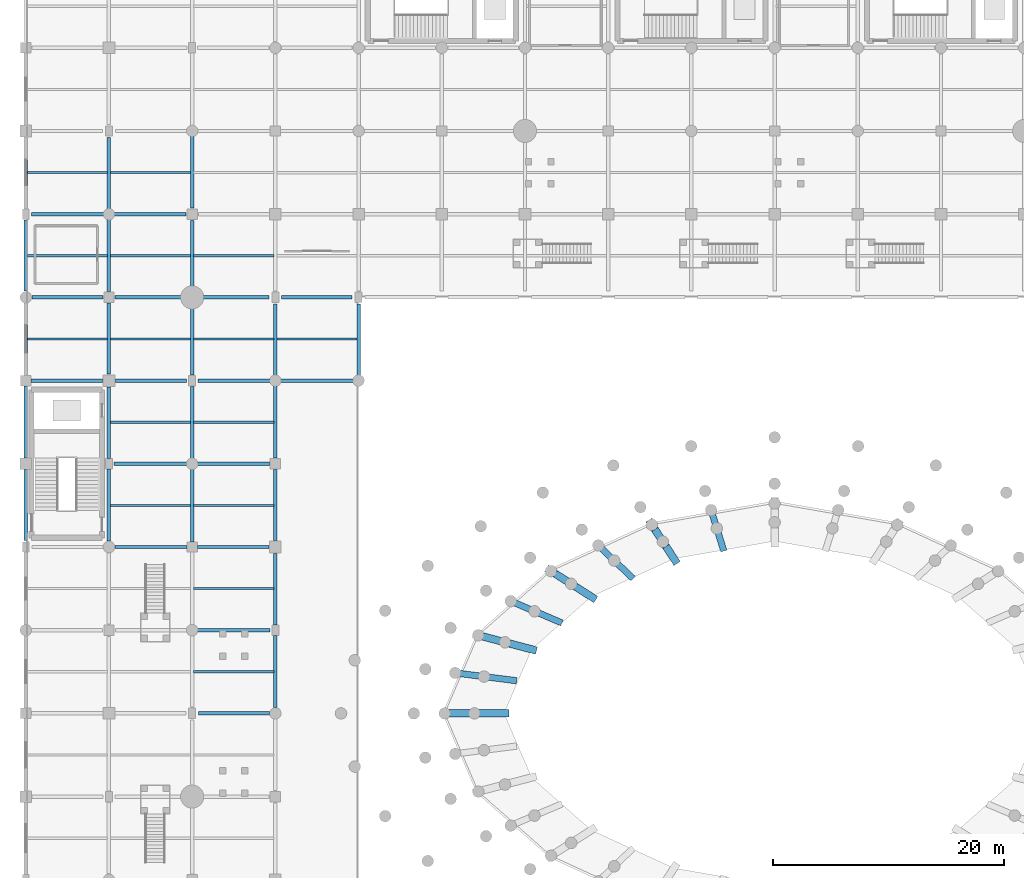
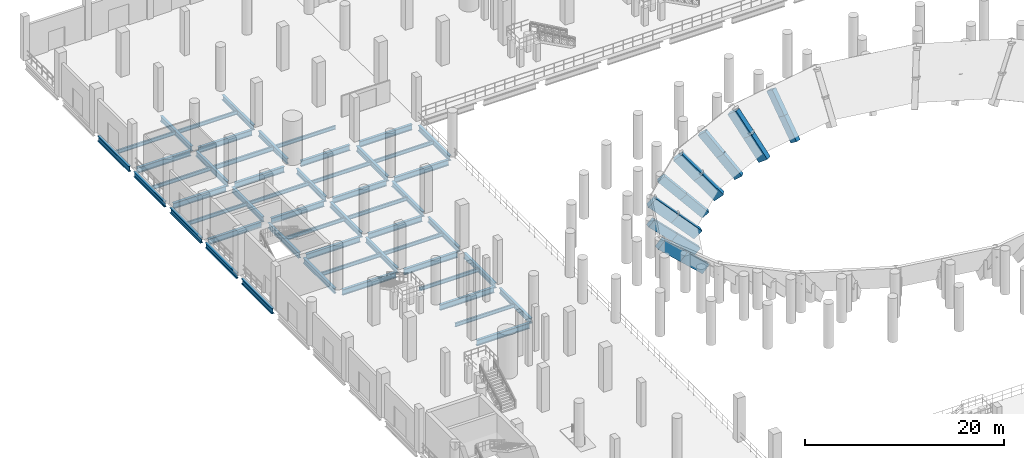
# One storey, part 10 of 58: 68 beams.
"""IFC4 building model written with IfcOpenShell, lengths in metres."""

from ifc_helpers import new_model, si_unit, direction, frame, origin, origin_2d, place, context, subcontext, project, spatial, rectangle, i_section, extrude, material, material_profile, profile_set, type_object, element, save


model = new_model("IFC4")

# Units and contexts
model_context = context("Model", 3, precision=1e-05, world=origin(), true_north=direction((0.0, 1.0)))
body_context = subcontext(model_context, "Body", "Model", "MODEL_VIEW")
ifc_project = project(units=[si_unit("LENGTHUNIT", "METRE"), si_unit("AREAUNIT", "SQUARE_METRE"), si_unit("VOLUMEUNIT", "CUBIC_METRE"), si_unit("PLANEANGLEUNIT", "RADIAN"), si_unit("MASSUNIT", "GRAM", prefix="KILO")], contexts=[model_context])

# Site, building, storey
site_placement = place(None, origin())
site = spatial("IfcSite", under=ifc_project, at=site_placement, CompositionType="ELEMENT")
building_placement = place(site_placement, origin())
building = spatial("IfcBuilding", under=site, at=building_placement, Name="Qandorah Velis Arena", CompositionType="ELEMENT")
storey_placement = place(building_placement, origin())
storey = spatial("IfcBuildingStorey", under=building, at=storey_placement, Name="L00", CompositionType="ELEMENT", Elevation=0.0)

# Beams
ifc_material_1 = material(Name="Steel S355", Category="steel")
ifc_material_profile_1 = material_profile(ifc_material_1, i_section(OverallWidth=0.300048828125, OverallDepth=0.64990234375, WebThickness=0.01611328125, FlangeThickness=0.031005859375, FilletRadius=0.027099609375, at=origin_2d()), Name="HEB 650")
ifc_profile_set_1 = profile_set([ifc_material_profile_1], Name="Steel S355")
beam_type_1 = type_object("IfcBeamType", Name="STR-BM-HEB650", PredefinedType="BEAM", material=ifc_profile_set_1)
beam_1_placement = place(storey_placement, frame((0.0, 79.75, -0.7451171875), z_axis=(0.0, 1.0, 0.0), x_axis=(-1.0, 0.0, 0.0)))
element("IfcBeam", 1, at=beam_1_placement, inside=storey, type_object=beam_type_1, Name="Primary floor girder L00 Y-279", PredefinedType="BEAM", context=body_context, shape_type="SweptSolid", body=[
    extrude(i_section(OverallWidth=0.300048828125, OverallDepth=0.64990234375, WebThickness=0.01611328125, FlangeThickness=0.031005859375, FilletRadius=0.027099609375, at=origin_2d()), origin(), (0.0, 0.0, 1.0), 6.14990234375),
])
beam_2_placement = place(storey_placement, frame((0.0, 86.89990234375, -0.7451171875), z_axis=(0.0, 1.0, 0.0), x_axis=(-1.0, 0.0, 0.0)))
element("IfcBeam", 2, at=beam_2_placement, inside=storey, type_object=beam_type_1, Name="Primary floor girder L00 Y-280", PredefinedType="BEAM", context=body_context, shape_type="SweptSolid", body=[
    extrude(i_section(OverallWidth=0.300048828125, OverallDepth=0.64990234375, WebThickness=0.01611328125, FlangeThickness=0.031005859375, FilletRadius=0.027099609375, at=origin_2d()), origin(), (0.0, 0.0, 1.0), 6.25),
])
beam_3_placement = place(storey_placement, frame((0.0, 94.050048828125, -0.7451171875), z_axis=(0.0, 1.0, 0.0), x_axis=(-1.0, 0.0, 0.0)))
element("IfcBeam", 3, at=beam_3_placement, inside=storey, type_object=beam_type_1, Name="Primary floor girder L00 Y-281", PredefinedType="BEAM", context=body_context, shape_type="SweptSolid", body=[
    extrude(i_section(OverallWidth=0.300048828125, OverallDepth=0.64990234375, WebThickness=0.01611328125, FlangeThickness=0.031005859375, FilletRadius=0.027099609375, at=origin_2d()), origin(), (0.0, 0.0, 1.0), 6.199951171875),
])
beam_4_placement = place(storey_placement, frame((0.0, 101.35009765625, -0.7451171875), z_axis=(0.0, 1.0, 0.0), x_axis=(-1.0, 0.0, 0.0)))
element("IfcBeam", 4, at=beam_4_placement, inside=storey, type_object=beam_type_1, Name="Primary floor girder L00 Y-282", PredefinedType="BEAM", context=body_context, shape_type="SweptSolid", body=[
    extrude(i_section(OverallWidth=0.300048828125, OverallDepth=0.64990234375, WebThickness=0.01611328125, FlangeThickness=0.031005859375, FilletRadius=0.027099609375, at=origin_2d()), origin(), (0.0, 0.0, 1.0), 6.14990234375),
])
for number, where, z_axis, x_axis, name in (
    (5, (0.0, 108.5, -0.7451171875), (0.0, 1.0, 0.0), (-1.0, 0.0, 0.0), "Primary floor girder L00 Y-283"),
    (6, (7.199951171875, 79.699951171875, -0.7451171875), (0.0, 1.0, 0.0), (-1.0, 0.0, 0.0), "Primary floor girder L00 Y-297"),
):
    element("IfcBeam", number, at=place(storey_placement, frame(where, z_axis=z_axis, x_axis=x_axis)), inside=storey, type_object=beam_type_1, Name=name, PredefinedType="BEAM", context=body_context, shape_type="SweptSolid", body=[
        extrude(i_section(OverallWidth=0.300048828125, OverallDepth=0.64990234375, WebThickness=0.01611328125, FlangeThickness=0.031005859375, FilletRadius=0.027099609375, at=origin_2d()), origin(), (0.0, 0.0, 1.0), 6.25),
    ])
beam_5_placement = place(storey_placement, frame((7.199951171875, 86.85009765625, -0.7451171875), z_axis=(0.0, 1.0, 0.0), x_axis=(-1.0, 0.0, 0.0)))
element("IfcBeam", 7, at=beam_5_placement, inside=storey, type_object=beam_type_1, Name="Primary floor girder L00 Y-298", PredefinedType="BEAM", context=body_context, shape_type="SweptSolid", body=[
    extrude(i_section(OverallWidth=0.300048828125, OverallDepth=0.64990234375, WebThickness=0.01611328125, FlangeThickness=0.031005859375, FilletRadius=0.027099609375, at=origin_2d()), origin(), (0.0, 0.0, 1.0), 6.199951171875),
])
beam_6_placement = place(storey_placement, frame((7.199951171875, 94.14990234375, -0.7451171875), z_axis=(0.0, 1.0, 0.0), x_axis=(-1.0, 0.0, 0.0)))
element("IfcBeam", 8, at=beam_6_placement, inside=storey, type_object=beam_type_1, Name="Primary floor girder L00 Y-299", PredefinedType="BEAM", context=body_context, shape_type="SweptSolid", body=[
    extrude(i_section(OverallWidth=0.300048828125, OverallDepth=0.64990234375, WebThickness=0.01611328125, FlangeThickness=0.031005859375, FilletRadius=0.027099609375, at=origin_2d()), origin(), (0.0, 0.0, 1.0), 6.150146484375),
])
beam_7_placement = place(storey_placement, frame((7.199951171875, 101.300048828125, -0.7451171875), z_axis=(0.0, 1.0, 0.0), x_axis=(-1.0, 0.0, 0.0)))
element("IfcBeam", 9, at=beam_7_placement, inside=storey, type_object=beam_type_1, Name="Primary floor girder L00 Y-300", PredefinedType="BEAM", context=body_context, shape_type="SweptSolid", body=[
    extrude(i_section(OverallWidth=0.300048828125, OverallDepth=0.64990234375, WebThickness=0.01611328125, FlangeThickness=0.031005859375, FilletRadius=0.027099609375, at=origin_2d()), origin(), (0.0, 0.0, 1.0), 6.25),
])
beam_8_placement = place(storey_placement, frame((7.199951171875, 108.449951171875, -0.7451171875), z_axis=(0.0, 1.0, 0.0), x_axis=(-1.0, 0.0, 0.0)))
element("IfcBeam", 10, at=beam_8_placement, inside=storey, type_object=beam_type_1, Name="Primary floor girder L00 Y-301", PredefinedType="BEAM", context=body_context, shape_type="SweptSolid", body=[
    extrude(i_section(OverallWidth=0.300048828125, OverallDepth=0.64990234375, WebThickness=0.01611328125, FlangeThickness=0.031005859375, FilletRadius=0.027099609375, at=origin_2d()), origin(), (0.0, 0.0, 1.0), 6.199951171875),
])
beam_9_placement = place(storey_placement, frame((14.39990234375, 79.64990234375, -0.7451171875), z_axis=(0.0, 1.0, 0.0), x_axis=(-1.0, 0.0, 0.0)))
element("IfcBeam", 11, at=beam_9_placement, inside=storey, type_object=beam_type_1, Name="Primary floor girder L00 Y-315", PredefinedType="BEAM", context=body_context, shape_type="SweptSolid", body=[
    extrude(i_section(OverallWidth=0.300048828125, OverallDepth=0.64990234375, WebThickness=0.01611328125, FlangeThickness=0.031005859375, FilletRadius=0.027099609375, at=origin_2d()), origin(), (0.0, 0.0, 1.0), 6.300048828125),
])
beam_10_placement = place(storey_placement, frame((14.39990234375, 86.85009765625, -0.7451171875), z_axis=(0.0, 1.0, 0.0), x_axis=(-1.0, 0.0, 0.0)))
element("IfcBeam", 12, at=beam_10_placement, inside=storey, type_object=beam_type_1, Name="Primary floor girder L00 Y-316", PredefinedType="BEAM", context=body_context, shape_type="SweptSolid", body=[
    extrude(i_section(OverallWidth=0.300048828125, OverallDepth=0.64990234375, WebThickness=0.01611328125, FlangeThickness=0.031005859375, FilletRadius=0.027099609375, at=origin_2d()), origin(), (0.0, 0.0, 1.0), 6.25),
])
beam_11_placement = place(storey_placement, frame((14.39990234375, 94.10009765625, -0.7451171875), z_axis=(0.0, 1.0, 0.0), x_axis=(-1.0, 0.0, 0.0)))
element("IfcBeam", 13, at=beam_11_placement, inside=storey, type_object=beam_type_1, Name="Primary floor girder L00 Y-317", PredefinedType="BEAM", context=body_context, shape_type="SweptSolid", body=[
    extrude(i_section(OverallWidth=0.300048828125, OverallDepth=0.64990234375, WebThickness=0.01611328125, FlangeThickness=0.031005859375, FilletRadius=0.027099609375, at=origin_2d()), origin(), (0.0, 0.0, 1.0), 5.75),
])
beam_12_placement = place(storey_placement, frame((14.39990234375, 101.75, -0.7451171875), z_axis=(0.0, 1.0, 0.0), x_axis=(-1.0, 0.0, 0.0)))
element("IfcBeam", 14, at=beam_12_placement, inside=storey, type_object=beam_type_1, Name="Primary floor girder L00 Y-318", PredefinedType="BEAM", context=body_context, shape_type="SweptSolid", body=[
    extrude(i_section(OverallWidth=0.300048828125, OverallDepth=0.64990234375, WebThickness=0.01611328125, FlangeThickness=0.031005859375, FilletRadius=0.027099609375, at=origin_2d()), origin(), (0.0, 0.0, 1.0), 5.699951171875),
])
beam_13_placement = place(storey_placement, frame((14.39990234375, 108.550048828125, -0.7451171875), z_axis=(0.0, 1.0, 0.0), x_axis=(-1.0, 0.0, 0.0)))
element("IfcBeam", 15, at=beam_13_placement, inside=storey, type_object=beam_type_1, Name="Primary floor girder L00 Y-319", PredefinedType="BEAM", context=body_context, shape_type="SweptSolid", body=[
    extrude(i_section(OverallWidth=0.300048828125, OverallDepth=0.64990234375, WebThickness=0.01611328125, FlangeThickness=0.031005859375, FilletRadius=0.027099609375, at=origin_2d()), origin(), (0.0, 0.0, 1.0), 6.199951171875),
])
beam_14_placement = place(storey_placement, frame((21.60009765625, 65.300048828125, -0.7451171875), z_axis=(0.0, 1.0, 0.0), x_axis=(-1.0, 0.0, 0.0)))
element("IfcBeam", 16, at=beam_14_placement, inside=storey, type_object=beam_type_1, Name="Primary floor girder L00 Y-331", PredefinedType="BEAM", context=body_context, shape_type="SweptSolid", body=[
    extrude(i_section(OverallWidth=0.300048828125, OverallDepth=0.64990234375, WebThickness=0.01611328125, FlangeThickness=0.031005859375, FilletRadius=0.027099609375, at=origin_2d()), origin(), (0.0, 0.0, 1.0), 6.25),
])
beam_15_placement = place(storey_placement, frame((21.60009765625, 72.449951171875, -0.7451171875), z_axis=(0.0, 1.0, 0.0), x_axis=(-1.0, 0.0, 0.0)))
element("IfcBeam", 17, at=beam_15_placement, inside=storey, type_object=beam_type_1, Name="Primary floor girder L00 Y-332", PredefinedType="BEAM", context=body_context, shape_type="SweptSolid", body=[
    extrude(i_section(OverallWidth=0.300048828125, OverallDepth=0.64990234375, WebThickness=0.01611328125, FlangeThickness=0.031005859375, FilletRadius=0.027099609375, at=origin_2d()), origin(), (0.0, 0.0, 1.0), 6.199951171875),
])
beam_16_placement = place(storey_placement, frame((21.60009765625, 79.75, -0.7451171875), z_axis=(0.0, 1.0, 0.0), x_axis=(-1.0, 0.0, 0.0)))
element("IfcBeam", 18, at=beam_16_placement, inside=storey, type_object=beam_type_1, Name="Primary floor girder L00 Y-333", PredefinedType="BEAM", context=body_context, shape_type="SweptSolid", body=[
    extrude(i_section(OverallWidth=0.300048828125, OverallDepth=0.64990234375, WebThickness=0.01611328125, FlangeThickness=0.031005859375, FilletRadius=0.027099609375, at=origin_2d()), origin(), (0.0, 0.0, 1.0), 6.14990234375),
])
beam_17_placement = place(storey_placement, frame((21.60009765625, 86.89990234375, -0.7451171875), z_axis=(0.0, 1.0, 0.0), x_axis=(-1.0, 0.0, 0.0)))
element("IfcBeam", 19, at=beam_17_placement, inside=storey, type_object=beam_type_1, Name="Primary floor girder L00 Y-334", PredefinedType="BEAM", context=body_context, shape_type="SweptSolid", body=[
    extrude(i_section(OverallWidth=0.300048828125, OverallDepth=0.64990234375, WebThickness=0.01611328125, FlangeThickness=0.031005859375, FilletRadius=0.027099609375, at=origin_2d()), origin(), (0.0, 0.0, 1.0), 6.25),
])
for number, where, z_axis, x_axis, name in (
    (20, (21.60009765625, 94.050048828125, -0.7451171875), (0.0, 1.0, 0.0), (-1.0, 0.0, 0.0), "Primary floor girder L00 Y-335"),
    (21, (28.800048828125, 94.050048828125, -0.7451171875), (0.0, 1.0, 0.0), (-1.0, 0.0, 0.0), "Primary floor girder L00 Y-345"),
):
    element("IfcBeam", number, at=place(storey_placement, frame(where, z_axis=z_axis, x_axis=x_axis)), inside=storey, type_object=beam_type_1, Name=name, PredefinedType="BEAM", context=body_context, shape_type="SweptSolid", body=[
        extrude(i_section(OverallWidth=0.300048828125, OverallDepth=0.64990234375, WebThickness=0.01611328125, FlangeThickness=0.031005859375, FilletRadius=0.027099609375, at=origin_2d()), origin(), (0.0, 0.0, 1.0), 6.199951171875),
    ])
ifc_material_profile_2 = material_profile(ifc_material_1, i_section(OverallWidth=0.300048828125, OverallDepth=0.699951171875, WebThickness=0.01708984375, FlangeThickness=0.031982421875, FilletRadius=0.027099609375, at=origin_2d()), Name="HEB 700")
ifc_profile_set_2 = profile_set([ifc_material_profile_2], Name="Steel S355")
beam_type_2 = type_object("IfcBeamType", Name="STR-BM-HEB700", PredefinedType="BEAM", material=ifc_profile_set_2)
beam_18_placement = place(storey_placement, frame((14.949951171875, 64.800048828125, -0.77001953125), z_axis=(1.0, 0.0, 0.0), x_axis=(0.0, 1.0, 0.0)))
element("IfcBeam", 22, at=beam_18_placement, inside=storey, type_object=beam_type_2, Name="Primary floor girder L00 X-133", PredefinedType="BEAM", context=body_context, shape_type="SweptSolid", body=[
    extrude(i_section(OverallWidth=0.300048828125, OverallDepth=0.699951171875, WebThickness=0.01708984375, FlangeThickness=0.031982421875, FilletRadius=0.027099609375, at=origin_2d()), origin(), (0.0, 0.0, 1.0), 6.150146484375),
])
beam_19_placement = place(storey_placement, frame((14.85009765625, 72.0, -0.77001953125), z_axis=(1.0, 0.0, 0.0), x_axis=(0.0, 1.0, 0.0)))
element("IfcBeam", 23, at=beam_19_placement, inside=storey, type_object=beam_type_2, Name="Primary floor girder L00 X-140", PredefinedType="BEAM", context=body_context, shape_type="SweptSolid", body=[
    extrude(i_section(OverallWidth=0.300048828125, OverallDepth=0.699951171875, WebThickness=0.01708984375, FlangeThickness=0.031982421875, FilletRadius=0.027099609375, at=origin_2d()), origin(), (0.0, 0.0, 1.0), 6.2998046875),
])
beam_20_placement = place(storey_placement, frame((7.699951171875, 79.199951171875, -0.77001953125), z_axis=(1.0, 0.0, 0.0), x_axis=(0.0, 1.0, 0.0)))
element("IfcBeam", 24, at=beam_20_placement, inside=storey, type_object=beam_type_2, Name="Primary floor girder L00 X-146", PredefinedType="BEAM", context=body_context, shape_type="SweptSolid", body=[
    extrude(i_section(OverallWidth=0.300048828125, OverallDepth=0.699951171875, WebThickness=0.01708984375, FlangeThickness=0.031982421875, FilletRadius=0.027099609375, at=origin_2d()), origin(), (0.0, 0.0, 1.0), 6.25),
])
beam_21_placement = place(storey_placement, frame((14.85009765625, 79.199951171875, -0.77001953125), z_axis=(1.0, 0.0, 0.0), x_axis=(0.0, 1.0, 0.0)))
element("IfcBeam", 25, at=beam_21_placement, inside=storey, type_object=beam_type_2, Name="Primary floor girder L00 X-147", PredefinedType="BEAM", context=body_context, shape_type="SweptSolid", body=[
    extrude(i_section(OverallWidth=0.300048828125, OverallDepth=0.699951171875, WebThickness=0.01708984375, FlangeThickness=0.031982421875, FilletRadius=0.027099609375, at=origin_2d()), origin(), (0.0, 0.0, 1.0), 6.199951171875),
])
beam_22_placement = place(storey_placement, frame((7.64990234375, 86.39990234375, -0.77001953125), z_axis=(1.0, 0.0, 0.0), x_axis=(0.0, 1.0, 0.0)))
element("IfcBeam", 26, at=beam_22_placement, inside=storey, type_object=beam_type_2, Name="Primary floor girder L00 X-152", PredefinedType="BEAM", context=body_context, shape_type="SweptSolid", body=[
    extrude(i_section(OverallWidth=0.300048828125, OverallDepth=0.699951171875, WebThickness=0.01708984375, FlangeThickness=0.031982421875, FilletRadius=0.027099609375, at=origin_2d()), origin(), (0.0, 0.0, 1.0), 6.300048828125),
])
beam_23_placement = place(storey_placement, frame((14.85009765625, 86.39990234375, -0.77001953125), z_axis=(1.0, 0.0, 0.0), x_axis=(0.0, 1.0, 0.0)))
element("IfcBeam", 27, at=beam_23_placement, inside=storey, type_object=beam_type_2, Name="Primary floor girder L00 X-153", PredefinedType="BEAM", context=body_context, shape_type="SweptSolid", body=[
    extrude(i_section(OverallWidth=0.300048828125, OverallDepth=0.699951171875, WebThickness=0.01708984375, FlangeThickness=0.031982421875, FilletRadius=0.027099609375, at=origin_2d()), origin(), (0.0, 0.0, 1.0), 6.25),
])
beam_24_placement = place(storey_placement, frame((0.449951171875, 93.60009765625, -0.77001953125), z_axis=(1.0, 0.0, 0.0), x_axis=(0.0, 1.0, 0.0)))
element("IfcBeam", 28, at=beam_24_placement, inside=storey, type_object=beam_type_2, Name="Primary floor girder L00 X-163", PredefinedType="BEAM", context=body_context, shape_type="SweptSolid", body=[
    extrude(i_section(OverallWidth=0.300048828125, OverallDepth=0.699951171875, WebThickness=0.01708984375, FlangeThickness=0.031982421875, FilletRadius=0.027099609375, at=origin_2d()), origin(), (0.0, 0.0, 1.0), 6.199951171875),
])
beam_25_placement = place(storey_placement, frame((7.75, 93.60009765625, -0.77001953125), z_axis=(1.0, 0.0, 0.0), x_axis=(0.0, 1.0, 0.0)))
element("IfcBeam", 29, at=beam_25_placement, inside=storey, type_object=beam_type_2, Name="Primary floor girder L00 X-164", PredefinedType="BEAM", context=body_context, shape_type="SweptSolid", body=[
    extrude(i_section(OverallWidth=0.300048828125, OverallDepth=0.699951171875, WebThickness=0.01708984375, FlangeThickness=0.031982421875, FilletRadius=0.027099609375, at=origin_2d()), origin(), (0.0, 0.0, 1.0), 6.14990234375),
])
beam_26_placement = place(storey_placement, frame((14.89990234375, 93.60009765625, -0.77001953125), z_axis=(1.0, 0.0, 0.0), x_axis=(0.0, 1.0, 0.0)))
element("IfcBeam", 30, at=beam_26_placement, inside=storey, type_object=beam_type_2, Name="Primary floor girder L00 X-165", PredefinedType="BEAM", context=body_context, shape_type="SweptSolid", body=[
    extrude(i_section(OverallWidth=0.300048828125, OverallDepth=0.699951171875, WebThickness=0.01708984375, FlangeThickness=0.031982421875, FilletRadius=0.027099609375, at=origin_2d()), origin(), (0.0, 0.0, 1.0), 6.25),
])
beam_27_placement = place(storey_placement, frame((22.050048828125, 93.60009765625, -0.77001953125), z_axis=(1.0, 0.0, 0.0), x_axis=(0.0, 1.0, 0.0)))
element("IfcBeam", 31, at=beam_27_placement, inside=storey, type_object=beam_type_2, Name="Primary floor girder L00 X-166", PredefinedType="BEAM", context=body_context, shape_type="SweptSolid", body=[
    extrude(i_section(OverallWidth=0.300048828125, OverallDepth=0.699951171875, WebThickness=0.01708984375, FlangeThickness=0.031982421875, FilletRadius=0.027099609375, at=origin_2d()), origin(), (0.0, 0.0, 1.0), 6.300048828125),
])
beam_28_placement = place(storey_placement, frame((0.550048828125, 100.800048828125, -0.77001953125), z_axis=(1.0, 0.0, 0.0), x_axis=(0.0, 1.0, 0.0)))
element("IfcBeam", 32, at=beam_28_placement, inside=storey, type_object=beam_type_2, Name="Primary floor girder L00 X-173", PredefinedType="BEAM", context=body_context, shape_type="SweptSolid", body=[
    extrude(i_section(OverallWidth=0.300048828125, OverallDepth=0.699951171875, WebThickness=0.01708984375, FlangeThickness=0.031982421875, FilletRadius=0.027099609375, at=origin_2d()), origin(), (0.0, 0.0, 1.0), 6.14990234375),
])
beam_29_placement = place(storey_placement, frame((7.699951171875, 100.800048828125, -0.77001953125), z_axis=(1.0, 0.0, 0.0), x_axis=(0.0, 1.0, 0.0)))
element("IfcBeam", 33, at=beam_29_placement, inside=storey, type_object=beam_type_2, Name="Primary floor girder L00 X-174", PredefinedType="BEAM", context=body_context, shape_type="SweptSolid", body=[
    extrude(i_section(OverallWidth=0.300048828125, OverallDepth=0.699951171875, WebThickness=0.01708984375, FlangeThickness=0.031982421875, FilletRadius=0.027099609375, at=origin_2d()), origin(), (0.0, 0.0, 1.0), 5.75),
])
beam_30_placement = place(storey_placement, frame((15.35009765625, 100.800048828125, -0.77001953125), z_axis=(1.0, 0.0, 0.0), x_axis=(0.0, 1.0, 0.0)))
element("IfcBeam", 34, at=beam_30_placement, inside=storey, type_object=beam_type_2, Name="Primary floor girder L00 X-175", PredefinedType="BEAM", context=body_context, shape_type="SweptSolid", body=[
    extrude(i_section(OverallWidth=0.300048828125, OverallDepth=0.699951171875, WebThickness=0.01708984375, FlangeThickness=0.031982421875, FilletRadius=0.027099609375, at=origin_2d()), origin(), (0.0, 0.0, 1.0), 5.699951171875),
])
beam_31_placement = place(storey_placement, frame((22.14990234375, 100.800048828125, -0.77001953125), z_axis=(1.0, 0.0, 0.0), x_axis=(0.0, 1.0, 0.0)))
element("IfcBeam", 35, at=beam_31_placement, inside=storey, type_object=beam_type_2, Name="Primary floor girder L00 X-176", PredefinedType="BEAM", context=body_context, shape_type="SweptSolid", body=[
    extrude(i_section(OverallWidth=0.300048828125, OverallDepth=0.699951171875, WebThickness=0.01708984375, FlangeThickness=0.031982421875, FilletRadius=0.027099609375, at=origin_2d()), origin(), (0.0, 0.0, 1.0), 6.10009765625),
])
beam_32_placement = place(storey_placement, frame((0.5, 108.0, -0.77001953125), z_axis=(1.0, 0.0, 0.0), x_axis=(0.0, 1.0, 0.0)))
element("IfcBeam", 36, at=beam_32_placement, inside=storey, type_object=beam_type_2, Name="Primary floor girder L00 X-195", PredefinedType="BEAM", context=body_context, shape_type="SweptSolid", body=[
    extrude(i_section(OverallWidth=0.300048828125, OverallDepth=0.699951171875, WebThickness=0.01708984375, FlangeThickness=0.031982421875, FilletRadius=0.027099609375, at=origin_2d()), origin(), (0.0, 0.0, 1.0), 6.25),
])
beam_33_placement = place(storey_placement, frame((7.64990234375, 108.0, -0.77001953125), z_axis=(1.0, 0.0, 0.0), x_axis=(0.0, 1.0, 0.0)))
element("IfcBeam", 37, at=beam_33_placement, inside=storey, type_object=beam_type_2, Name="Primary floor girder L00 X-196", PredefinedType="BEAM", context=body_context, shape_type="SweptSolid", body=[
    extrude(i_section(OverallWidth=0.300048828125, OverallDepth=0.699951171875, WebThickness=0.01708984375, FlangeThickness=0.031982421875, FilletRadius=0.027099609375, at=origin_2d()), origin(), (0.0, 0.0, 1.0), 6.2001953125),
])
ifc_material_profile_3 = material_profile(ifc_material_1, i_section(OverallWidth=0.18994140625, OverallDepth=0.449951171875, WebThickness=0.009521484375, FlangeThickness=0.0146484375, FilletRadius=0.02099609375, at=origin_2d()), Name="IPE 450")
ifc_profile_set_3 = profile_set([ifc_material_profile_3], Name="Steel S355")
beam_type_3 = type_object("IfcBeamType", Name="STR-JST-IPE450", PredefinedType="JOIST", material=ifc_profile_set_3)
for number, where, z_axis, x_axis, name in (
    (38, (0.135009765625, 97.199951171875, -0.64501953125), (1.0, 0.0, 0.0), (0.0, 1.0, 0.0), "Secondary floor joist L00-010"),
    (39, (0.135009765625, 104.39990234375, -0.64501953125), (1.0, 0.0, 0.0), (0.0, 1.0, 0.0), "Secondary floor joist L00-011"),
    (40, (0.135009765625, 111.60009765625, -0.64501953125), (1.0, 0.0, 0.0), (0.0, 1.0, 0.0), "Secondary floor joist L00-012"),
    (41, (7.3349609375, 82.800048828125, -0.64501953125), (1.0, 0.0, 0.0), (0.0, 1.0, 0.0), "Secondary floor joist L00-026"),
    (42, (7.3349609375, 90.0, -0.64501953125), (1.0, 0.0, 0.0), (0.0, 1.0, 0.0), "Secondary floor joist L00-027"),
    (43, (7.3349609375, 97.199951171875, -0.64501953125), (1.0, 0.0, 0.0), (0.0, 1.0, 0.0), "Secondary floor joist L00-028"),
    (44, (7.3349609375, 111.60009765625, -0.64501953125), (1.0, 0.0, 0.0), (0.0, 1.0, 0.0), "Secondary floor joist L00-030"),
):
    element("IfcBeam", number, at=place(storey_placement, frame(where, z_axis=z_axis, x_axis=x_axis)), inside=storey, type_object=beam_type_3, Name=name, PredefinedType="JOIST", context=body_context, shape_type="SweptSolid", body=[
        extrude(i_section(OverallWidth=0.18994140625, OverallDepth=0.449951171875, WebThickness=0.009521484375, FlangeThickness=0.0146484375, FilletRadius=0.02099609375, at=origin_2d()), origin(), (0.0, 0.0, 1.0), 6.929931640625),
    ])
for number, where, z_axis, x_axis, name in (
    (45, (14.534912109375, 68.39990234375, -0.64501953125), (1.0, 0.0, 0.0), (0.0, 1.0, 0.0), "Secondary floor joist L00-042"),
    (46, (14.534912109375, 75.60009765625, -0.64501953125), (1.0, 0.0, 0.0), (0.0, 1.0, 0.0), "Secondary floor joist L00-043"),
    (47, (14.534912109375, 82.800048828125, -0.64501953125), (1.0, 0.0, 0.0), (0.0, 1.0, 0.0), "Secondary floor joist L00-044"),
    (48, (14.534912109375, 90.0, -0.64501953125), (1.0, 0.0, 0.0), (0.0, 1.0, 0.0), "Secondary floor joist L00-045"),
    (49, (14.534912109375, 97.199951171875, -0.64501953125), (1.0, 0.0, 0.0), (0.0, 1.0, 0.0), "Secondary floor joist L00-046"),
    (50, (14.534912109375, 104.39990234375, -0.64501953125), (1.0, 0.0, 0.0), (0.0, 1.0, 0.0), "Secondary floor joist L00-047"),
):
    element("IfcBeam", number, at=place(storey_placement, frame(where, z_axis=z_axis, x_axis=x_axis)), inside=storey, type_object=beam_type_3, Name=name, PredefinedType="JOIST", context=body_context, shape_type="SweptSolid", body=[
        extrude(i_section(OverallWidth=0.18994140625, OverallDepth=0.449951171875, WebThickness=0.009521484375, FlangeThickness=0.0146484375, FilletRadius=0.02099609375, at=origin_2d()), origin(), (0.0, 0.0, 1.0), 6.93017578125),
    ])
beam_34_placement = place(storey_placement, frame((21.735107421875, 97.199951171875, -0.64501953125), z_axis=(1.0, 0.0, 0.0), x_axis=(0.0, 1.0, 0.0)))
element("IfcBeam", 51, at=beam_34_placement, inside=storey, type_object=beam_type_3, Name="Secondary floor joist L00-056", PredefinedType="JOIST", context=body_context, shape_type="SweptSolid", body=[
    extrude(i_section(OverallWidth=0.18994140625, OverallDepth=0.449951171875, WebThickness=0.009521484375, FlangeThickness=0.0146484375, FilletRadius=0.02099609375, at=origin_2d()), origin(), (0.0, 0.0, 1.0), 6.929931640625),
])
ifc_material_profile_4 = material_profile(ifc_material_1, i_section(OverallWidth=0.2099609375, OverallDepth=0.550048828125, WebThickness=0.010986328125, FlangeThickness=0.01708984375, FilletRadius=0.02392578125, at=origin_2d()), Name="IPE 550")
ifc_profile_set_4 = profile_set([ifc_material_profile_4], Name="Steel S355")
beam_type_4 = type_object("IfcBeamType", Name="STR-JST-IPE550", PredefinedType="JOIST", material=ifc_profile_set_4)
beam_35_placement = place(storey_placement, frame((7.3349609375, 104.39990234375, -0.695068359375), z_axis=(1.0, 0.0, 0.0), x_axis=(0.0, 1.0, 0.0)))
element("IfcBeam", 52, at=beam_35_placement, inside=storey, type_object=beam_type_4, Name="Secondary floor joist L00-029", PredefinedType="JOIST", context=body_context, shape_type="SweptSolid", body=[
    extrude(i_section(OverallWidth=0.2099609375, OverallDepth=0.550048828125, WebThickness=0.010986328125, FlangeThickness=0.01708984375, FilletRadius=0.02392578125, at=origin_2d()), origin(), (0.0, 0.0, 1.0), 6.929931640625),
])
ifc_material_2 = material(Name="Concrete C40/50", Category="concrete")
ifc_material_profile_5 = material_profile(ifc_material_2, rectangle(XDim=0.550048828125, YDim=0.949951171875, at=origin_2d()), Name="RC RAKER 550x950")
ifc_profile_set_5 = profile_set([ifc_material_profile_5], Name="Concrete C40/50")
beam_type_5 = type_object("IfcBeamType", Name="STR-RAK-550X950", PredefinedType="USERDEFINED", material=ifc_profile_set_5)
beam_36_placement = place(storey_placement, frame((60.293701171875, 79.2255859375, -0.715087890625), z_axis=(-0.169826785444, 0.543512607281, 0.822041914182), x_axis=(-0.954490429028, -0.298241547901, 0.0)))
element("IfcBeam", 53, at=beam_36_placement, inside=storey, type_object=beam_type_5, Name="Lower bowl inner raker beam RB-LA05.2", ObjectType="RAKER BEAM", PredefinedType="USERDEFINED", context=body_context, shape_type="SweptSolid", body=[
    extrude(rectangle(XDim=0.550048828125, YDim=0.949951171875, at=origin_2d()), origin(), (0.0, 0.0, 1.0), 2.919677734375),
])
beam_37_placement = place(storey_placement, frame((59.7978515625, 80.8125, 1.68505859375), z_axis=(-0.169764962925, 0.54349876554, 0.822063835246), x_axis=(-0.954519170423, -0.29814954854, 0.0)))
element("IfcBeam", 54, at=beam_37_placement, inside=storey, type_object=beam_type_5, Name="Lower bowl outer raker beam RB-LB05.2", ObjectType="RAKER BEAM", PredefinedType="USERDEFINED", context=body_context, shape_type="SweptSolid", body=[
    extrude(rectangle(XDim=0.550048828125, YDim=0.949951171875, at=origin_2d()), origin(), (0.0, 0.0, 1.0), 2.91943359375),
])
for number, where, z_axis, x_axis, name in (
    (55, (52.29345703125, 76.71826171875, -0.715087890625), (-0.449380494122, 0.428247249944, 0.784003484953), (-0.689879693058, -0.723924035453, 0.0), "Lower bowl inner raker beam RB-LA06.2"),
    (56, (50.917724609375, 78.029296875, 1.68505859375), (-0.449408591846, 0.428274026302, 0.783972752058), (-0.689879693058, -0.723924035453, 0.0), "Lower bowl outer raker beam RB-LB06.2"),
):
    element("IfcBeam", number, at=place(storey_placement, frame(where, z_axis=z_axis, x_axis=x_axis)), inside=storey, type_object=beam_type_5, Name=name, ObjectType="RAKER BEAM", PredefinedType="USERDEFINED", context=body_context, shape_type="SweptSolid", body=[
        extrude(rectangle(XDim=0.550048828125, YDim=0.949951171875, at=origin_2d()), origin(), (0.0, 0.0, 1.0), 3.061279296875),
    ])
beam_38_placement = place(storey_placement, frame((46.082763671875, 72.763427734375, -0.715087890625), z_axis=(-0.627448073055, 0.266961186544, 0.731464722662), x_axis=(-0.391507987355, -0.92017470941, 0.0)))
element("IfcBeam", 57, at=beam_38_placement, inside=storey, type_object=beam_type_5, Name="Lower bowl inner raker beam RB-LA07.2", ObjectType="RAKER BEAM", PredefinedType="USERDEFINED", context=body_context, shape_type="SweptSolid", body=[
    extrude(rectangle(XDim=0.550048828125, YDim=0.949951171875, at=origin_2d()), origin(), (0.0, 0.0, 1.0), 3.28125),
])
beam_39_placement = place(storey_placement, frame((44.02392578125, 73.639404296875, 1.68505859375), z_axis=(-0.627482222231, 0.26697571604, 0.731430125049), x_axis=(-0.391507987355, -0.92017470941, 0.0)))
element("IfcBeam", 58, at=beam_39_placement, inside=storey, type_object=beam_type_5, Name="Lower bowl outer raker beam RB-LB07.2", ObjectType="RAKER BEAM", PredefinedType="USERDEFINED", context=body_context, shape_type="SweptSolid", body=[
    extrude(rectangle(XDim=0.550048828125, YDim=0.949951171875, at=origin_2d()), origin(), (0.0, 0.0, 1.0), 3.281005859375),
])
for number, where, z_axis, x_axis, name in (
    (59, (42.14501953125, 67.66943359375, -0.715087890625), (-0.717269074384, 0.090862046946, 0.69084670033), (-0.125673426448, -0.9920716657, 0.0), "Lower bowl inner raker beam RB-LA08.2"),
    (60, (39.653076171875, 67.985107421875, 1.68505859375), (-0.71733801119, 0.090861877789, 0.690775142045), (-0.125661309593, -0.992073200561, 0.0), "Lower bowl outer raker beam RB-LB08.2"),
):
    element("IfcBeam", number, at=place(storey_placement, frame(where, z_axis=z_axis, x_axis=x_axis)), inside=storey, type_object=beam_type_5, Name=name, ObjectType="RAKER BEAM", PredefinedType="USERDEFINED", context=body_context, shape_type="SweptSolid", body=[
        extrude(rectangle(XDim=0.550048828125, YDim=0.949951171875, at=origin_2d()), origin(), (0.0, 0.0, 1.0), 3.47412109375),
    ])
ifc_material_profile_6 = material_profile(ifc_material_2, rectangle(XDim=0.64990234375, YDim=1.199951171875, at=origin_2d()), Name="RC RAKER 650x1200")
ifc_profile_set_6 = profile_set([ifc_material_profile_6], Name="Concrete C40/50")
beam_type_6 = type_object("IfcBeamType", Name="STR-RAK-650X1200", PredefinedType="USERDEFINED", material=ifc_profile_set_6)
for number, where, z_axis, x_axis, name in (
    (61, (56.0947265625, 78.182373046875, -0.840087890625), (-0.321973892614, 0.494946608508, 0.807069183653), (-0.838243436999, -0.545296195042, 0.0), "Lower bowl inner raker beam RB-LA06.1"),
    (62, (55.13720703125, 79.654296875, 1.56005859375), (-0.322055723212, 0.495028297468, 0.806986428543), (-0.838221230668, -0.54533032967, 0.0), "Lower bowl outer raker beam RB-LB06.1"),
):
    element("IfcBeam", number, at=place(storey_placement, frame(where, z_axis=z_axis, x_axis=x_axis)), inside=storey, type_object=beam_type_6, Name=name, ObjectType="RAKER BEAM", PredefinedType="USERDEFINED", context=body_context, shape_type="SweptSolid", body=[
        extrude(rectangle(XDim=0.64990234375, YDim=1.199951171875, at=origin_2d()), origin(), (0.0, 0.0, 1.0), 2.973876953125),
    ])
for number, where, z_axis, x_axis, name in (
    (63, (48.940185546875, 74.898681640625, -0.840087890625), (-0.5505902287, 0.350620789445, 0.757572083744), (-0.537142821391, -0.843491309634, 0.0), "Lower bowl inner raker beam RB-LA07.1"),
    (64, (47.19580078125, 76.009521484375, 1.56005859375), (-0.550676068254, 0.350626379871, 0.757507102007), (-0.537089338572, -0.843525365589, 0.0), "Lower bowl outer raker beam RB-LB07.1"),
):
    element("IfcBeam", number, at=place(storey_placement, frame(where, z_axis=z_axis, x_axis=x_axis)), inside=storey, type_object=beam_type_6, Name=name, ObjectType="RAKER BEAM", PredefinedType="USERDEFINED", context=body_context, shape_type="SweptSolid", body=[
        extrude(rectangle(XDim=0.64990234375, YDim=1.199951171875, at=origin_2d()), origin(), (0.0, 0.0, 1.0), 3.168212890625),
    ])
beam_40_placement = place(storey_placement, frame((43.783447265625, 70.343017578125, -0.840087890625), z_axis=(-0.682388598419, 0.180019718962, 0.708476323905), x_axis=(-0.255081334927, -0.966919599849, 0.0)))
element("IfcBeam", 65, at=beam_40_placement, inside=storey, type_object=beam_type_6, Name="Lower bowl inner raker beam RB-LA08.1", ObjectType="RAKER BEAM", PredefinedType="USERDEFINED", context=body_context, shape_type="SweptSolid", body=[
    extrude(rectangle(XDim=0.64990234375, YDim=1.199951171875, at=origin_2d()), origin(), (0.0, 0.0, 1.0), 3.3876953125),
])
beam_41_placement = place(storey_placement, frame((41.4716796875, 70.952880859375, 1.56005859375), z_axis=(-0.682432292377, 0.179959175633, 0.708449618129), x_axis=(-0.254985861186, -0.966944781565, 0.0)))
element("IfcBeam", 66, at=beam_41_placement, inside=storey, type_object=beam_type_6, Name="Lower bowl outer raker beam RB-LB08.1", ObjectType="RAKER BEAM", PredefinedType="USERDEFINED", context=body_context, shape_type="SweptSolid", body=[
    extrude(rectangle(XDim=0.64990234375, YDim=1.199951171875, at=origin_2d()), origin(), (0.0, 0.0, 1.0), 3.387451171875),
])
for number, where, z_axis, x_axis, name in (
    (67, (41.39990234375, 64.800048828125, -0.840087890625), (-0.731371228454, 0.0, 0.681979564349), (0.0, -1.0, 0.0), "Lower bowl inner raker beam RB-LA09.1"),
    (68, (38.825927734375, 64.800048828125, 1.56005859375), (-0.731405829691, 0.0, 0.681942455266), (0.0, -1.0, 0.0), "Lower bowl outer raker beam RB-LB09.1"),
):
    element("IfcBeam", number, at=place(storey_placement, frame(where, z_axis=z_axis, x_axis=x_axis)), inside=storey, type_object=beam_type_6, Name=name, ObjectType="RAKER BEAM", PredefinedType="USERDEFINED", context=body_context, shape_type="SweptSolid", body=[
        extrude(rectangle(XDim=0.64990234375, YDim=1.199951171875, at=origin_2d()), origin(), (0.0, 0.0, 1.0), 3.519287109375),
    ])

save(model, "model.ifc")
